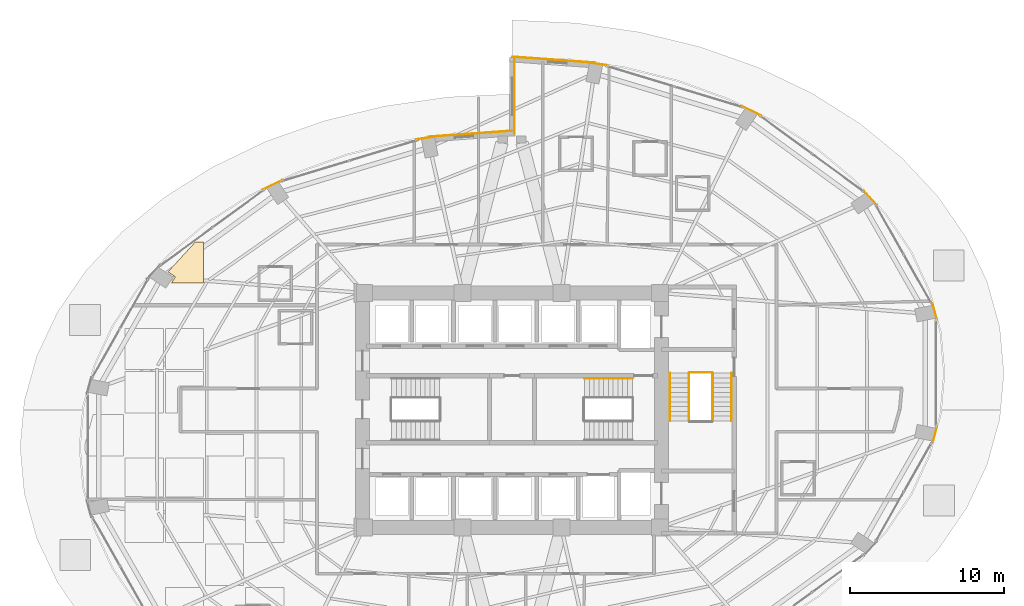
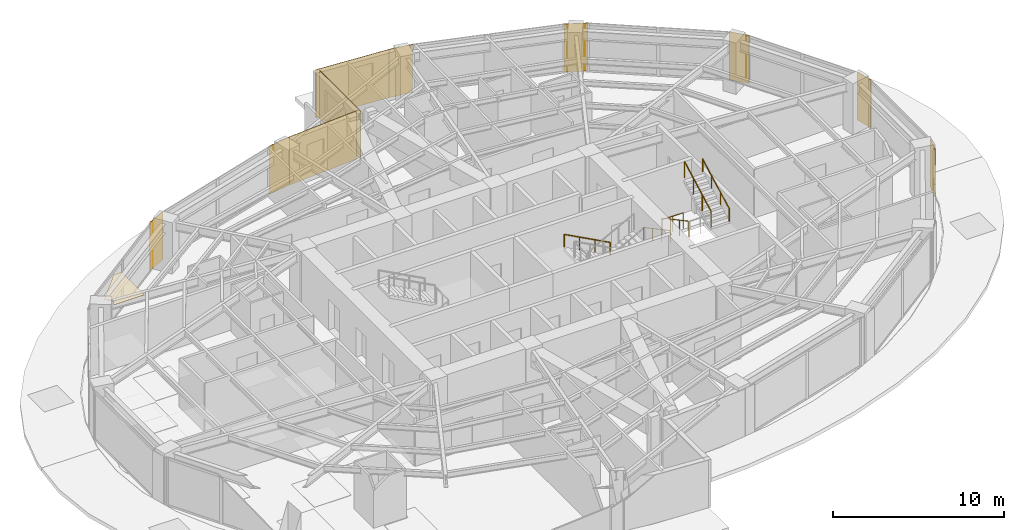
# One storey, part 25 of 25: 11 coverings, 6 railings.
"""IFC4 building model written with IfcOpenShell, lengths in metres."""

from ifc_helpers import new_model, si_unit, direction, frame, origin, origin_2d, place, context, subcontext, project, spatial, polyline, rectangle, circle, outline, extrude, material, layer, layer_set, type_object, element, save


model = new_model("IFC4")

# Units and contexts
model_context = context("Model", 3, precision=1e-05, world=origin(), true_north=direction((0.0, 1.0)))
body_context = subcontext(model_context, "Body", "Model", "MODEL_VIEW")
ifc_project = project(units=[si_unit("LENGTHUNIT", "METRE"), si_unit("AREAUNIT", "SQUARE_METRE"), si_unit("VOLUMEUNIT", "CUBIC_METRE"), si_unit("PLANEANGLEUNIT", "RADIAN"), si_unit("MASSUNIT", "GRAM", prefix="KILO")], contexts=[model_context])

# Site, building, storey
site_placement = place(None, origin())
site = spatial("IfcSite", under=ifc_project, at=site_placement, CompositionType="ELEMENT")
building_placement = place(site_placement, origin())
building = spatial("IfcBuilding", under=site, at=building_placement, Name="Lazwardi Medical Tower", CompositionType="ELEMENT")
storey_placement = place(building_placement, frame((0.0, 0.0, 25.199951171875)))
storey = spatial("IfcBuildingStorey", under=building, at=storey_placement, Name="L05", CompositionType="ELEMENT", Elevation=25.199951171875)

# Coverings
ifc_material_1 = material(Name="Anodised bronze aluminium cassette cladding", Category="aluminium")
ifc_layer_1 = layer(ifc_material_1, 0.030029296875)
ifc_layer_set_1 = layer_set([ifc_layer_1], Name="Anodised bronze aluminium cassette cladding")
covering_type_1 = type_object("IfcCoveringType", Name="COV-CLD-BRZ", PredefinedType="CLADDING", material=ifc_layer_set_1)
for number, where, z_axis, x_axis, name in (
    (1, (63.420654296875, 26.408203125, 0.0), (0.0, 0.0, 1.0), (0.262283496593, 0.964990863902, 0.0), "L05 Mega-column bronze cassette cover M04"),
    (2, (63.420654296875, 34.3916015625, 0.0), (0.0, 0.0, 1.0), (-0.262283496593, 0.964990863902, 0.0), "L05 Mega-column bronze cassette cover M05"),
):
    element("IfcCovering", number, at=place(storey_placement, frame(where, z_axis=z_axis, x_axis=x_axis)), inside=storey, type_object=covering_type_1, Name=name, PredefinedType="CLADDING", context=body_context, shape_type="SweptSolid", body=[
        extrude(rectangle(XDim=1.12548828125, YDim=0.030029296875, at=origin_2d()), origin(), (0.0, 0.0, 1.0), 3.427978515625),
    ])
covering_1_placement = place(storey_placement, frame((59.24609375, 41.767333984375, 0.0), z_axis=(0.0, 0.0, 1.0), x_axis=(-0.674252120961, 0.738501237223, 0.0)))
element("IfcCovering", 3, at=covering_1_placement, inside=storey, type_object=covering_type_1, Name="L05 Mega-column bronze cassette cover M06", PredefinedType="CLADDING", context=body_context, shape_type="SweptSolid", body=[
    extrude(rectangle(XDim=1.24658203125, YDim=0.030029296875, at=origin_2d()), origin(), (0.0, 0.0, 1.0), 3.427978515625),
])
covering_2_placement = place(storey_placement, frame((51.532470703125, 47.412353515625, 0.0), z_axis=(0.0, 0.0, 1.0), x_axis=(-0.898334492373, 0.439312121178, 0.0)))
element("IfcCovering", 4, at=covering_2_placement, inside=storey, type_object=covering_type_1, Name="L05 Mega-column bronze cassette cover M07", PredefinedType="CLADDING", context=body_context, shape_type="SweptSolid", body=[
    extrude(rectangle(XDim=1.400390625, YDim=0.030029296875, at=origin_2d()), origin(), (0.0, 0.0, 1.0), 3.427978515625),
])
for number, where, z_axis, x_axis, name in (
    (5, (41.454345703125, 50.46728515625, 0.0), (0.0, 0.0, 1.0), (-0.98957259946, 0.144034962415, 0.0), "L05 Mega-column bronze cassette cover M08"),
    (6, (30.545654296875, 45.66748046875, 0.0), (0.0, 0.0, 1.0), (-0.98957259946, -0.144034962415, 0.0), "L05 Mega-column bronze cassette cover M09"),
):
    element("IfcCovering", number, at=place(storey_placement, frame(where, z_axis=z_axis, x_axis=x_axis)), inside=storey, type_object=covering_type_1, Name=name, PredefinedType="CLADDING", context=body_context, shape_type="SweptSolid", body=[
        extrude(rectangle(XDim=1.49951171875, YDim=0.030029296875, at=origin_2d()), origin(), (0.0, 0.0, 1.0), 3.427978515625),
    ])
covering_3_placement = place(storey_placement, frame((20.467529296875, 42.6123046875, 0.0), z_axis=(0.0, 0.0, 1.0), x_axis=(-0.898334492373, -0.439312121178, 0.0)))
element("IfcCovering", 7, at=covering_3_placement, inside=storey, type_object=covering_type_1, Name="L05 Mega-column bronze cassette cover M10", PredefinedType="CLADDING", context=body_context, shape_type="SweptSolid", body=[
    extrude(rectangle(XDim=1.400390625, YDim=0.030029296875, at=origin_2d()), origin(), (0.0, 0.0, 1.0), 3.427978515625),
])
ifc_material_2 = material(Name="Turquoise glazed ceramic tilework cladding", Category="masonry")
ifc_layer_2 = layer(ifc_material_2, 0.034912109375)
ifc_layer_set_2 = layer_set([ifc_layer_2], Name="Turquoise glazed ceramic tilework cladding")
covering_type_2 = type_object("IfcCoveringType", Name="COV-CLD-TRQ", PredefinedType="CLADDING", material=ifc_layer_set_2)
covering_4_placement = place(storey_placement, frame((38.728271484375, 50.719482421875, 0.0), z_axis=(0.0, 0.0, 1.0), x_axis=(-0.997421404513, 0.071767275412, 0.0)))
element("IfcCovering", 8, at=covering_4_placement, inside=storey, type_object=covering_type_2, Name="L05 Turquoise glazed ceramic tilework cladding", PredefinedType="CLADDING", context=body_context, shape_type="SweptSolid", body=[
    extrude(rectangle(XDim=5.4453125, YDim=0.034912109375, at=origin_2d()), origin(), (0.0, 0.0, 1.0), 3.427978515625),
])
covering_5_placement = place(storey_placement, frame((33.271484375, 45.919677734375, 0.0), z_axis=(0.0, 0.0, 1.0), x_axis=(-0.997420903458, -0.071774238726, 0.0)))
element("IfcCovering", 9, at=covering_5_placement, inside=storey, type_object=covering_type_2, Name="L05 Turquoise glazed ceramic tilework cladding", PredefinedType="CLADDING", context=body_context, shape_type="SweptSolid", body=[
    extrude(rectangle(XDim=5.44482421875, YDim=0.034912109375, at=origin_2d()), origin(), (0.0, 0.0, 1.0), 3.427978515625),
])
covering_6_placement = place(storey_placement, frame((36.175537109375, 48.340087890625, 0.0), z_axis=(0.0, 0.0, 1.0), x_axis=(0.0, -1.0, 0.0)))
element("IfcCovering", 10, at=covering_6_placement, inside=storey, type_object=covering_type_2, Name="L05 Turquoise glazed ceramic tilework iwan panel", PredefinedType="CLADDING", context=body_context, shape_type="SweptSolid", body=[
    extrude(rectangle(XDim=4.800048828125, YDim=0.034912109375, at=origin_2d()), origin(), (0.0, 0.0, 1.0), 3.427978515625),
])
ifc_material_3 = material(Name="Acoustic mineral fibre tile")
ifc_layer_3 = layer(ifc_material_3, 0.02490234375)
ifc_layer_set_3 = layer_set([ifc_layer_3], Name="Acoustic mineral fibre tile")
covering_type_3 = type_object("IfcCoveringType", Name="COV-CLG-01", PredefinedType="CEILING", material=ifc_layer_set_3)
covering_7_placement = place(storey_placement, frame((0.0, 0.0, 3.282958984375)))
element("IfcCovering", 11, at=covering_7_placement, inside=storey, type_object=covering_type_3, Name="L05 Clinical Acoustic Ceiling 6", PredefinedType="CEILING", context=body_context, shape_type="SweptSolid", body=[
    extrude(outline(polyline([(15.470703125, 38.91259765625), (13.69677734375, 36.97314453125), (14.11083984375, 36.696533203125), (14.1171875, 36.69189453125), (14.123046875, 36.6865234375), (14.128173828125, 36.6806640625), (14.1328125, 36.67431640625), (14.136962890625, 36.667724609375), (14.140380859375, 36.66064453125), (14.14306640625, 36.6533203125), (14.14501953125, 36.6455078125), (14.14599609375, 36.6376953125), (14.146484375, 36.6298828125), (14.14599609375, 36.622314453125), (14.14501953125, 36.614501953125), (14.14306640625, 36.606689453125), (14.140380859375, 36.599365234375), (14.136962890625, 36.59228515625), (14.1328125, 36.585693359375), (13.89697265625, 36.232421875), (16.0029296875, 36.232421875), (16.0029296875, 38.91259765625), (15.470703125, 38.91259765625)])), origin(), (0.0, 0.0, 1.0), 0.025146484375),
])

# Railings
ifc_material_4 = material(Name="Stainless steel Grade 316", Category="steel")
railing_type_1 = type_object("IfcRailingType", Name="RLG-GRD-1150", PredefinedType="GUARDRAIL", material=ifc_material_4)
railing_1_placement = place(storey_placement, frame((47.469970703125, 30.39990234375, 0.165771484375)))
element("IfcRailing", 12, at=railing_1_placement, inside=storey, type_object=railing_type_1, Name="L05 ST3 stair guard 1", PredefinedType="GUARDRAIL", context=body_context, shape_type="SweptSolid", body=[
    extrude(circle(Radius=0.02392578125, at=origin_2d()), frame((0.0, 0.0, 1.1259765625), z_axis=(0.0, -0.881767849116, 0.471683644262), x_axis=(1.0, 0.0, 0.0)), (0.0, 0.0, 1.0), 3.515380859375),
    extrude(circle(Radius=0.02099609375, at=origin_2d()), origin(), (0.0, 0.0, 1.0), 1.099853515625),
    extrude(circle(Radius=0.02099609375, at=origin_2d()), frame((0.0, -1.033203125, 0.552734375)), (0.0, 0.0, 1.0), 1.099853515625),
    extrude(circle(Radius=0.02099609375, at=origin_2d()), frame((0.0, -2.066650390625, 1.10546875)), (0.0, 0.0, 1.0), 1.099853515625),
    extrude(circle(Radius=0.02099609375, at=origin_2d()), frame((0.0, -3.099853515625, 1.658203125)), (0.0, 0.0, 1.0), 1.099853515625),
])
railing_2_placement = place(storey_placement, frame((49.010009765625, 27.300048828125, 1.98974609375)))
element("IfcRailing", 13, at=railing_2_placement, inside=storey, type_object=railing_type_1, Name="L05 ST3 stair guard 3", PredefinedType="GUARDRAIL", context=body_context, shape_type="SweptSolid", body=[
    extrude(circle(Radius=0.02392578125, at=origin_2d()), frame((0.0, 0.0, 1.1259765625), z_axis=(0.0, 0.881767849116, 0.471683644262), x_axis=(-1.0, 0.0, 0.0)), (0.0, 0.0, 1.0), 3.515380859375),
    extrude(circle(Radius=0.02099609375, at=origin_2d()), origin(), (0.0, 0.0, 1.0), 1.099853515625),
    extrude(circle(Radius=0.02099609375, at=origin_2d()), frame((0.0, 1.033203125, 0.552734375)), (0.0, 0.0, 1.0), 1.099853515625),
    extrude(circle(Radius=0.02099609375, at=origin_2d()), frame((0.0, 2.066650390625, 1.10546875)), (0.0, 0.0, 1.0), 1.099853515625),
    extrude(circle(Radius=0.02099609375, at=origin_2d()), frame((0.0, 3.099853515625, 1.658203125)), (0.0, 0.0, 1.0), 1.099853515625),
])
railing_3_placement = place(storey_placement, frame((47.52001953125, 30.449951171875, 0.0)))
element("IfcRailing", 14, at=railing_3_placement, inside=storey, type_object=railing_type_1, Name="L05 ST3 stair guard 4", PredefinedType="GUARDRAIL", context=body_context, shape_type="SweptSolid", body=[
    extrude(circle(Radius=0.02392578125, at=origin_2d()), frame((0.0, 0.0, 1.1259765625), z_axis=(1.0, 0.0, 0.0), x_axis=(0.0, 1.0, 0.0)), (0.0, 0.0, 1.0), 1.43994140625),
    extrude(circle(Radius=0.02099609375, at=origin_2d()), origin(), (0.0, 0.0, 1.0), 1.099853515625),
    extrude(circle(Radius=0.02099609375, at=origin_2d()), frame((0.719970703125, 0.0, 0.0)), (0.0, 0.0, 1.0), 1.099853515625),
    extrude(circle(Radius=0.02099609375, at=origin_2d()), frame((1.43994140625, 0.0, 0.0)), (0.0, 0.0, 1.0), 1.099853515625),
])
railing_type_2 = type_object("IfcRailingType", Name="RLG-HND-920", PredefinedType="HANDRAIL", material=ifc_material_4)
railing_4_placement = place(storey_placement, frame((43.800048828125, 30.050048828125, 0.165771484375)))
element("IfcRailing", 15, at=railing_4_placement, inside=storey, type_object=railing_type_2, Name="L05 ST2 stair handrail 1", PredefinedType="HANDRAIL", context=body_context, shape_type="SweptSolid", body=[
    extrude(circle(Radius=0.02392578125, at=origin_2d()), frame((0.0, 0.0, 0.8857421875), z_axis=(-0.881783298633, 0.0, 0.471654761719), x_axis=(0.0, -1.0, 0.0)), (0.0, 0.0, 1.0), 3.515625),
    extrude(circle(Radius=0.02099609375, at=origin_2d()), origin(), (0.0, 0.0, 1.0), 0.85986328125),
    extrude(circle(Radius=0.02099609375, at=origin_2d()), frame((-1.033447265625, 0.0, 0.552734375)), (0.0, 0.0, 1.0), 0.85986328125),
    extrude(circle(Radius=0.02099609375, at=origin_2d()), frame((-2.066650390625, 0.0, 1.10546875)), (0.0, 0.0, 1.0), 0.85986328125),
    extrude(circle(Radius=0.02099609375, at=origin_2d()), frame((-3.10009765625, 0.0, 1.658203125)), (0.0, 0.0, 1.0), 0.85986328125),
])
railing_5_placement = place(storey_placement, frame((46.25, 30.39990234375, 0.165771484375)))
element("IfcRailing", 16, at=railing_5_placement, inside=storey, type_object=railing_type_2, Name="L05 ST3 stair handrail 1", PredefinedType="HANDRAIL", context=body_context, shape_type="SweptSolid", body=[
    extrude(circle(Radius=0.02392578125, at=origin_2d()), frame((0.0, 0.0, 0.8857421875), z_axis=(0.0, -0.881767849116, 0.471683644262), x_axis=(1.0, 0.0, 0.0)), (0.0, 0.0, 1.0), 3.515380859375),
    extrude(circle(Radius=0.02099609375, at=origin_2d()), origin(), (0.0, 0.0, 1.0), 0.85986328125),
    extrude(circle(Radius=0.02099609375, at=origin_2d()), frame((0.0, -1.033203125, 0.552734375)), (0.0, 0.0, 1.0), 0.85986328125),
    extrude(circle(Radius=0.02099609375, at=origin_2d()), frame((0.0, -2.066650390625, 1.10546875)), (0.0, 0.0, 1.0), 0.85986328125),
    extrude(circle(Radius=0.02099609375, at=origin_2d()), frame((0.0, -3.099853515625, 1.658203125)), (0.0, 0.0, 1.0), 0.85986328125),
])
railing_6_placement = place(storey_placement, frame((50.22998046875, 27.300048828125, 1.98974609375)))
element("IfcRailing", 17, at=railing_6_placement, inside=storey, type_object=railing_type_2, Name="L05 ST3 stair handrail 2", PredefinedType="HANDRAIL", context=body_context, shape_type="SweptSolid", body=[
    extrude(circle(Radius=0.02392578125, at=origin_2d()), frame((0.0, 0.0, 0.8857421875), z_axis=(0.0, 0.881767849116, 0.471683644262), x_axis=(-1.0, 0.0, 0.0)), (0.0, 0.0, 1.0), 3.515380859375),
    extrude(circle(Radius=0.02099609375, at=origin_2d()), origin(), (0.0, 0.0, 1.0), 0.85986328125),
    extrude(circle(Radius=0.02099609375, at=origin_2d()), frame((0.0, 1.033203125, 0.552734375)), (0.0, 0.0, 1.0), 0.85986328125),
    extrude(circle(Radius=0.02099609375, at=origin_2d()), frame((0.0, 2.066650390625, 1.10546875)), (0.0, 0.0, 1.0), 0.85986328125),
    extrude(circle(Radius=0.02099609375, at=origin_2d()), frame((0.0, 3.099853515625, 1.658203125)), (0.0, 0.0, 1.0), 0.85986328125),
])

save(model, "model.ifc")
